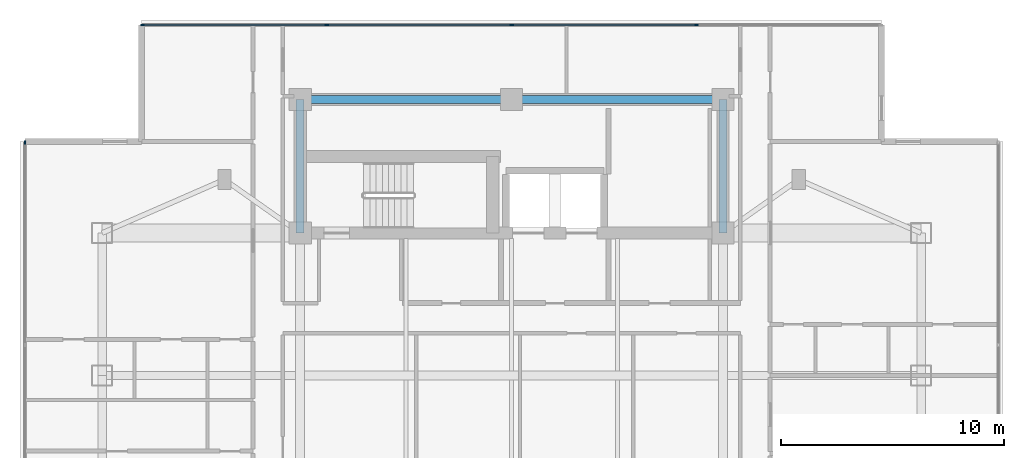
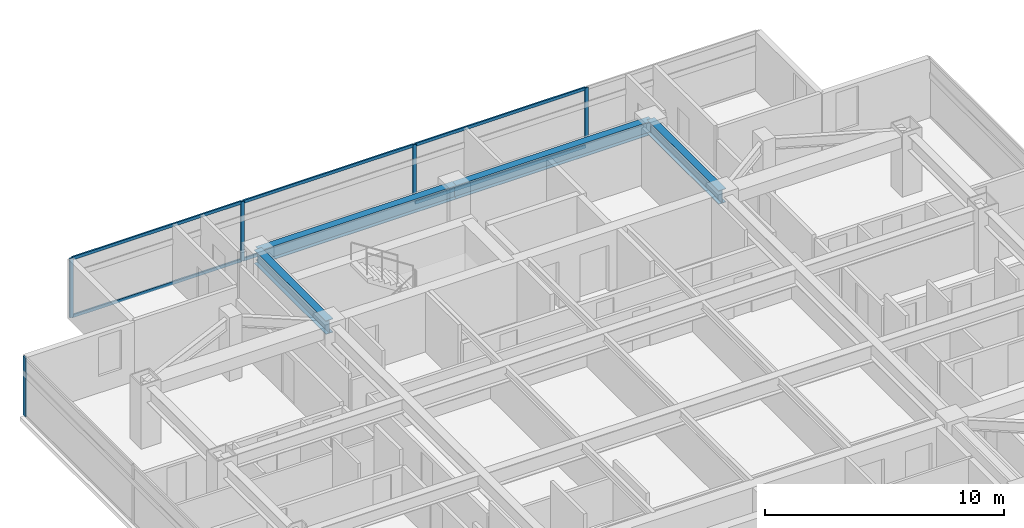
# One storey, part 6 of 25: 11 members, 4 beams, 2 elements without a shape of their own.
"""IFC4 building model written with IfcOpenShell, lengths in metres."""

from ifc_helpers import new_model, si_unit, direction, frame, origin, origin_2d, place, context, subcontext, project, spatial, rectangle, i_section, extrude, material, material_profile, profile_set, type_object, element, aggregate, save


model = new_model("IFC4")

# Units and contexts
model_context = context("Model", 3, precision=1e-05, world=origin(), true_north=direction((0.0, 1.0)))
body_context = subcontext(model_context, "Body", "Model", "MODEL_VIEW")
ifc_project = project(units=[si_unit("LENGTHUNIT", "METRE"), si_unit("AREAUNIT", "SQUARE_METRE"), si_unit("VOLUMEUNIT", "CUBIC_METRE"), si_unit("PLANEANGLEUNIT", "RADIAN"), si_unit("MASSUNIT", "GRAM", prefix="KILO")], contexts=[model_context])

# Site, building, storey
site_placement = place(None, origin())
site = spatial("IfcSite", under=ifc_project, at=site_placement, CompositionType="ELEMENT")
building_placement = place(site_placement, origin())
building = spatial("IfcBuilding", under=site, at=building_placement, Name="Mirazonda Arch Towers", CompositionType="ELEMENT")
storey_placement = place(building_placement, frame((0.0, 0.0, 180.39990234375)))
storey = spatial("IfcBuildingStorey", under=building, at=storey_placement, Name="L51", CompositionType="ELEMENT", Elevation=180.39990234375)

# Beams
ifc_material_1 = material(Name="Steel ASTM A992 Grade 50", Category="steel")
ifc_material_profile_1 = material_profile(ifc_material_1, i_section(OverallWidth=0.35498046875, OverallDepth=0.696044921875, WebThickness=0.015380859375, FlangeThickness=0.02490234375, at=origin_2d()), Name="W27X146")
ifc_profile_set_1 = profile_set([ifc_material_profile_1], Name="Steel ASTM A992 Grade 50")
beam_type = type_object("IfcBeamType", Name="BM-INT-W27X146", PredefinedType="BEAM", material=ifc_profile_set_1)
for number, where, z_axis, x_axis, name in (
    (1, (11.0, 43.60009765625, 2.7021484375), (1.0, 0.0, 0.0), (0.0, 1.0, 0.0), "L51 Floor Beam BM-T1-L51-CN1"),
    (2, (20.5, 43.60009765625, 2.7021484375), (1.0, 0.0, 0.0), (0.0, 1.0, 0.0), "L51 Floor Beam BM-T1-L51-CN2"),
):
    element("IfcBeam", number, at=place(storey_placement, frame(where, z_axis=z_axis, x_axis=x_axis)), inside=storey, type_object=beam_type, Name=name, PredefinedType="BEAM", context=body_context, shape_type="SweptSolid", body=[
        extrude(i_section(OverallWidth=0.35498046875, OverallDepth=0.696044921875, WebThickness=0.015380859375, FlangeThickness=0.02490234375, at=origin_2d()), origin(), (0.0, 0.0, 1.0), 9.5),
    ])
for number, where, z_axis, x_axis, name in (
    (3, (11.0, 37.60009765625, 2.7021484375), (0.0, 1.0, 0.0), (-1.0, 0.0, 0.0), "L51 Floor Beam BM-T1-L51-CNW"),
    (4, (30.0, 37.60009765625, 2.7021484375), (0.0, 1.0, 0.0), (-1.0, 0.0, 0.0), "L51 Floor Beam BM-T1-L51-CNE"),
):
    element("IfcBeam", number, at=place(storey_placement, frame(where, z_axis=z_axis, x_axis=x_axis)), inside=storey, type_object=beam_type, Name=name, PredefinedType="BEAM", context=body_context, shape_type="SweptSolid", body=[
        extrude(i_section(OverallWidth=0.35498046875, OverallDepth=0.696044921875, WebThickness=0.015380859375, FlangeThickness=0.02490234375, at=origin_2d()), origin(), (0.0, 0.0, 1.0), 6.0),
    ])

# Curtain wall, members
ifc_material_2 = material(Name="Anodised Aluminium and Low-E Glass", Category="aluminium")
curtain_wall_type = type_object("IfcCurtainWallType", Name="CW-RES-UNIT", PredefinedType="NOTDEFINED", material=ifc_material_2)
curtain_wall_1_placement = place(storey_placement, origin())
curtain_wall_1 = element("IfcCurtainWall", 5, at=curtain_wall_1_placement, inside=storey, type_object=curtain_wall_type, Name="L51 T1 N Facade CW-L51-T1-N", PredefinedType="NOTDEFINED")
ifc_material_3 = material(Name="Anodised Aluminium Alloy", Category="aluminium")
ifc_material_profile_2 = material_profile(ifc_material_3, rectangle(XDim=0.074951171875, YDim=0.175048828125, at=origin_2d()), Name="ALU-MULL-75x175")
ifc_profile_set_2 = profile_set([ifc_material_profile_2], Name="Anodised Aluminium Alloy")
member_type_1 = type_object("IfcMemberType", Name="MULL-CW-RES-UNIT", PredefinedType="MULLION", material=ifc_profile_set_2)
member_1_placement = place(storey_placement, frame((3.91259765625, 46.9541015625, 0.0), z_axis=(0.0, 0.0, 1.0), x_axis=(0.0, 1.0, 0.0)))
member_1 = element("IfcMember", 6, at=member_1_placement, type_object=member_type_1, Name="CW-104 mullion 1", PredefinedType="MULLION", context=body_context, shape_type="SweptSolid", body=[
    extrude(rectangle(XDim=0.074951171875, YDim=0.175048828125, at=origin_2d()), origin(), (0.0, 0.0, 1.0), 3.030029296875),
])
member_2_placement = place(storey_placement, frame((12.1875, 46.9541015625, 0.0), z_axis=(0.0, 0.0, 1.0), x_axis=(0.0, 1.0, 0.0)))
member_2 = element("IfcMember", 7, at=member_2_placement, type_object=member_type_1, Name="CW-104 mullion 2", PredefinedType="MULLION", context=body_context, shape_type="SweptSolid", body=[
    extrude(rectangle(XDim=0.074951171875, YDim=0.175048828125, at=origin_2d()), origin(), (0.0, 0.0, 1.0), 3.030029296875),
])
member_3_placement = place(storey_placement, frame((20.5, 46.9541015625, 0.0), z_axis=(0.0, 0.0, 1.0), x_axis=(0.0, 1.0, 0.0)))
member_3 = element("IfcMember", 8, at=member_3_placement, type_object=member_type_1, Name="CW-104 mullion 3", PredefinedType="MULLION", context=body_context, shape_type="SweptSolid", body=[
    extrude(rectangle(XDim=0.074951171875, YDim=0.175048828125, at=origin_2d()), origin(), (0.0, 0.0, 1.0), 3.030029296875),
])
member_4_placement = place(storey_placement, frame((28.8125, 46.9541015625, 0.0), z_axis=(0.0, 0.0, 1.0), x_axis=(0.0, 1.0, 0.0)))
member_4 = element("IfcMember", 9, at=member_4_placement, type_object=member_type_1, Name="CW-104 mullion 4", PredefinedType="MULLION", context=body_context, shape_type="SweptSolid", body=[
    extrude(rectangle(XDim=0.074951171875, YDim=0.175048828125, at=origin_2d()), origin(), (0.0, 0.0, 1.0), 3.030029296875),
])

# Curtain wall, member
curtain_wall_2_placement = place(storey_placement, origin())
curtain_wall_2 = element("IfcCurtainWall", 10, at=curtain_wall_2_placement, inside=storey, type_object=curtain_wall_type, Name="L51 T1 W Facade CW-L51-T1-W", PredefinedType="NOTDEFINED")
member_5_placement = place(storey_placement, frame((-1.3701171875, 41.67138671875, 0.0), z_axis=(0.0, 0.0, 1.0), x_axis=(1.0, 0.0, 0.0)))
member_5 = element("IfcMember", 11, at=member_5_placement, type_object=member_type_1, Name="CW-104 mullion 1", PredefinedType="MULLION", context=body_context, shape_type="SweptSolid", body=[
    extrude(rectangle(XDim=0.074951171875, YDim=0.175048828125, at=origin_2d()), origin(), (0.0, 0.0, 1.0), 3.030029296875),
])
aggregate(curtain_wall_2, [member_5])

# Member
ifc_material_profile_3 = material_profile(ifc_material_3, rectangle(XDim=0.074951171875, YDim=0.155029296875, at=origin_2d()), Name="ALU-TRAN-75x155")
ifc_profile_set_3 = profile_set([ifc_material_profile_3], Name="Anodised Aluminium Alloy")
member_type_2 = type_object("IfcMemberType", Name="TRAN-CW-RES-UNIT", PredefinedType="USERDEFINED", material=ifc_profile_set_3)
member_6_placement = place(storey_placement, frame((3.949951171875, 46.9541015625, 0.03759765625), z_axis=(1.0, 0.0, 0.0), x_axis=(0.0, 1.0, 0.0)))
member_6 = element("IfcMember", 12, at=member_6_placement, type_object=member_type_2, Name="CW-104 transom 1.1", ObjectType="TRANSOM", PredefinedType="USERDEFINED", context=body_context, shape_type="SweptSolid", body=[
    extrude(rectangle(XDim=0.074951171875, YDim=0.155029296875, at=origin_2d()), origin(), (0.0, 0.0, 1.0), 8.199951171875),
])

member_7_placement = place(storey_placement, frame((3.949951171875, 46.9541015625, 2.99267578125), z_axis=(1.0, 0.0, 0.0), x_axis=(0.0, 1.0, 0.0)))
member_7 = element("IfcMember", 13, at=member_7_placement, type_object=member_type_2, Name="CW-104 transom 1.2", ObjectType="TRANSOM", PredefinedType="USERDEFINED", context=body_context, shape_type="SweptSolid", body=[
    extrude(rectangle(XDim=0.074951171875, YDim=0.155029296875, at=origin_2d()), origin(), (0.0, 0.0, 1.0), 8.199951171875),
])

member_8_placement = place(storey_placement, frame((12.22509765625, 46.9541015625, 0.03759765625), z_axis=(1.0, 0.0, 0.0), x_axis=(0.0, 1.0, 0.0)))
member_8 = element("IfcMember", 14, at=member_8_placement, type_object=member_type_2, Name="CW-104 transom 2.1", ObjectType="TRANSOM", PredefinedType="USERDEFINED", context=body_context, shape_type="SweptSolid", body=[
    extrude(rectangle(XDim=0.074951171875, YDim=0.155029296875, at=origin_2d()), origin(), (0.0, 0.0, 1.0), 8.2373046875),
])

member_9_placement = place(storey_placement, frame((12.22509765625, 46.9541015625, 2.99267578125), z_axis=(1.0, 0.0, 0.0), x_axis=(0.0, 1.0, 0.0)))
member_9 = element("IfcMember", 15, at=member_9_placement, type_object=member_type_2, Name="CW-104 transom 2.2", ObjectType="TRANSOM", PredefinedType="USERDEFINED", context=body_context, shape_type="SweptSolid", body=[
    extrude(rectangle(XDim=0.074951171875, YDim=0.155029296875, at=origin_2d()), origin(), (0.0, 0.0, 1.0), 8.2373046875),
])

member_10_placement = place(storey_placement, frame((20.53759765625, 46.9541015625, 0.03759765625), z_axis=(1.0, 0.0, 0.0), x_axis=(0.0, 1.0, 0.0)))
member_10 = element("IfcMember", 16, at=member_10_placement, type_object=member_type_2, Name="CW-104 transom 3.1", ObjectType="TRANSOM", PredefinedType="USERDEFINED", context=body_context, shape_type="SweptSolid", body=[
    extrude(rectangle(XDim=0.074951171875, YDim=0.155029296875, at=origin_2d()), origin(), (0.0, 0.0, 1.0), 8.2373046875),
])

member_11_placement = place(storey_placement, frame((20.53759765625, 46.9541015625, 2.99267578125), z_axis=(1.0, 0.0, 0.0), x_axis=(0.0, 1.0, 0.0)))
member_11 = element("IfcMember", 17, at=member_11_placement, type_object=member_type_2, Name="CW-104 transom 3.2", ObjectType="TRANSOM", PredefinedType="USERDEFINED", context=body_context, shape_type="SweptSolid", body=[
    extrude(rectangle(XDim=0.074951171875, YDim=0.155029296875, at=origin_2d()), origin(), (0.0, 0.0, 1.0), 8.2373046875),
])

aggregate(curtain_wall_1, [member_1, member_2, member_3, member_4, member_6, member_7, member_8, member_9, member_10, member_11])

save(model, "model.ifc")
